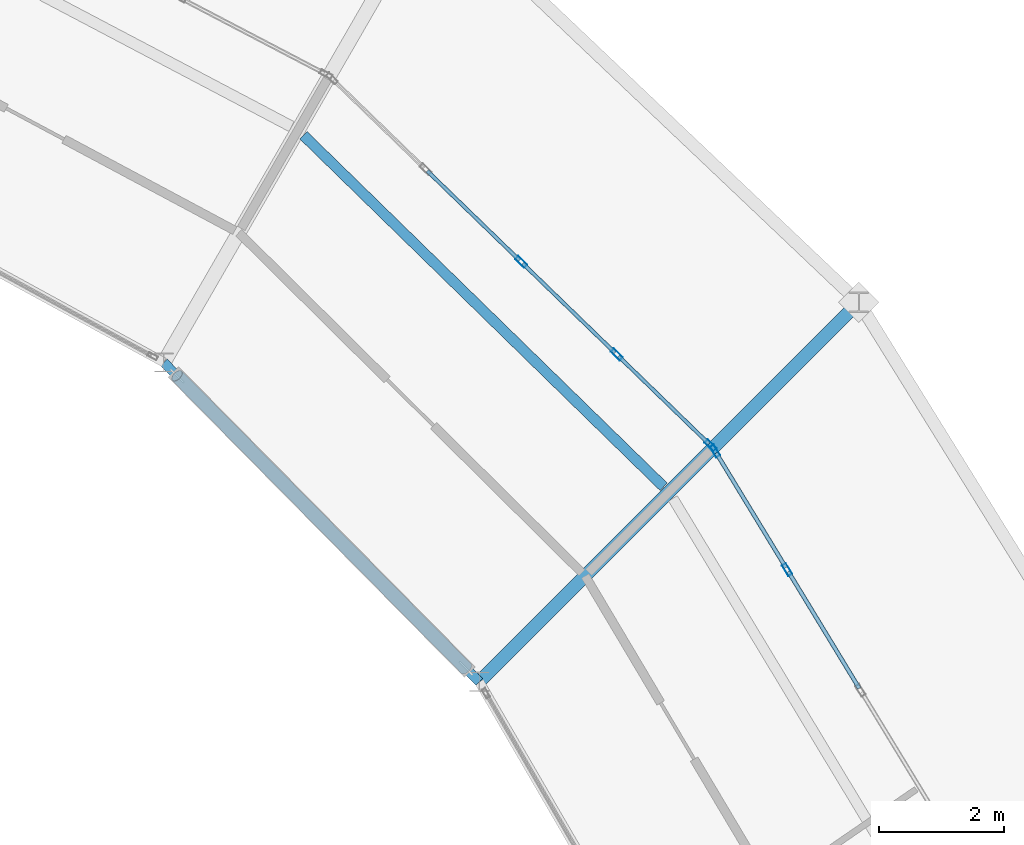
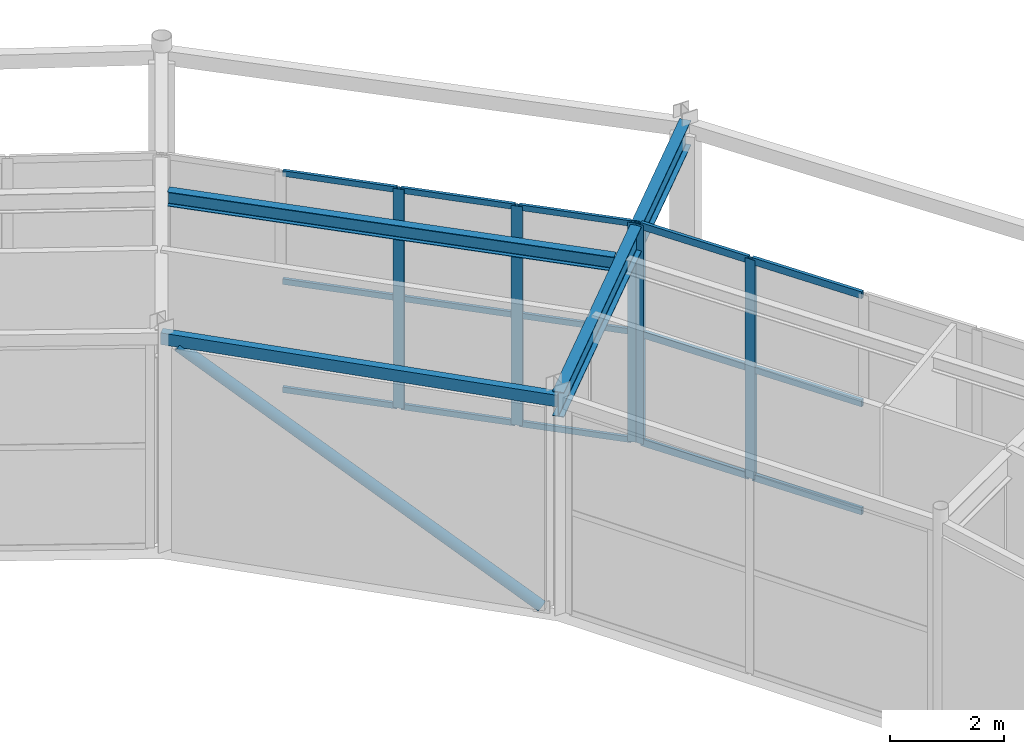
# One storey, part 86 of 144: 21 members, 3 beams, 2 elements without a shape of their own.
"""IFC4 building model written with IfcOpenShell, lengths in metres."""

from ifc_helpers import new_model, si_unit, direction, frame, origin, origin_2d, place, context, subcontext, project, spatial, hollow_rectangle, hollow_circle, i_section, extrude, material, material_profile, profile_set, type_object, element, aggregate, save


model = new_model("IFC4")

# Units and contexts
model_context = context("Model", 3, precision=1e-05, world=origin(), true_north=direction((0.0, 1.0)))
body_context = subcontext(model_context, "Body", "Model", "MODEL_VIEW")
ifc_project = project(units=[si_unit("LENGTHUNIT", "METRE"), si_unit("AREAUNIT", "SQUARE_METRE"), si_unit("VOLUMEUNIT", "CUBIC_METRE"), si_unit("PLANEANGLEUNIT", "RADIAN"), si_unit("MASSUNIT", "GRAM", prefix="KILO")], contexts=[model_context])

# Site, building, storey
site_placement = place(None, origin())
site = spatial("IfcSite", under=ifc_project, at=site_placement, CompositionType="ELEMENT")
building_placement = place(site_placement, origin())
building = spatial("IfcBuilding", under=site, at=building_placement, Name="Karori Crest Natural Sciences Institute", CompositionType="ELEMENT")
storey_placement = place(building_placement, origin())
storey = spatial("IfcBuildingStorey", under=building, at=storey_placement, Name="L00", CompositionType="ELEMENT", Elevation=0.0)

# Beams
ifc_material_1 = material(Name="Structural steel AS/NZS 3679.1 Grade 350", Category="steel")
ifc_material_profile_1 = material_profile(ifc_material_1, i_section(OverallWidth=0.208984375, OverallDepth=0.532958984375, WebThickness=0.01025390625, FlangeThickness=0.015625, FilletRadius=0.013916015625, at=origin_2d()), Name="530UB92.4")
ifc_profile_set_1 = profile_set([ifc_material_profile_1], Name="Structural steel AS/NZS 3679.1 Grade 350")
beam_type_1 = type_object("IfcBeamType", Name="BT-05", PredefinedType="BEAM", material=ifc_profile_set_1)
beam_1_placement = place(storey_placement, frame((83.6533203125, 72.668701171875, 4.37353515625), z_axis=(0.707106781187, 0.707106781187, 0.0), x_axis=(-0.707106781187, 0.707106781187, 0.0)))
element("IfcBeam", 1, at=beam_1_placement, inside=storey, type_object=beam_type_1, Name="Beam B-0103", PredefinedType="BEAM", context=body_context, shape_type="SweptSolid", body=[
    extrude(i_section(OverallWidth=0.208984375, OverallDepth=0.532958984375, WebThickness=0.01025390625, FlangeThickness=0.015625, FilletRadius=0.013916015625, at=origin_2d()), origin(), (0.0, 0.0, 1.0), 8.600341796875),
])
ifc_material_profile_2 = material_profile(ifc_material_1, i_section(OverallWidth=0.166015625, OverallDepth=0.306884765625, WebThickness=0.006591796875, FlangeThickness=0.01171875, FilletRadius=0.010986328125, at=origin_2d()), Name="310UB46.2")
ifc_profile_set_2 = profile_set([ifc_material_profile_2], Name="Structural steel AS/NZS 3679.1 Grade 350")
beam_type_2 = type_object("IfcBeamType", Name="BT-09", PredefinedType="BEAM", material=ifc_profile_set_2)
beam_2_placement = place(storey_placement, frame((86.608154296875, 75.793212890625, 4.486572265625), z_axis=(-0.715696324431, 0.698411605857, 0.0), x_axis=(-0.698411605857, -0.715696324431, 0.0)))
element("IfcBeam", 2, at=beam_2_placement, inside=storey, type_object=beam_type_2, Name="Beam B-0104", PredefinedType="BEAM", context=body_context, shape_type="SweptSolid", body=[
    extrude(i_section(OverallWidth=0.166015625, OverallDepth=0.306884765625, WebThickness=0.006591796875, FlangeThickness=0.01171875, FilletRadius=0.010986328125, at=origin_2d()), origin(), (0.0, 0.0, 1.0), 8.065185546875),
])
ifc_material_2 = material(Name="Hollow structural steel AS/NZS 1163 Grade C350", Category="steel")
ifc_material_profile_3 = material_profile(ifc_material_2, hollow_rectangle(XDim=0.14990234375, YDim=0.25, WallThickness=0.009033203125, at=origin_2d()), Name="RHS250x150x9")
ifc_profile_set_3 = profile_set([ifc_material_profile_3], Name="Hollow structural steel AS/NZS 1163 Grade C350")
beam_type_3 = type_object("IfcBeamType", Name="BT-16", PredefinedType="SPANDREL", material=ifc_profile_set_3)
beam_3_placement = place(storey_placement, frame((83.6533203125, 72.668701171875, 4.489990234375), z_axis=(-0.702645672149, 0.711539921164, 0.0), x_axis=(-0.711539921164, -0.702645672149, 0.0)))
element("IfcBeam", 3, at=beam_3_placement, inside=storey, type_object=beam_type_3, Name="Beam B-0102", PredefinedType="SPANDREL", context=body_context, shape_type="SweptSolid", body=[
    extrude(hollow_rectangle(XDim=0.14990234375, YDim=0.25, WallThickness=0.009033203125, at=origin_2d()), origin(), (0.0, 0.0, 1.0), 7.191650390625),
])

# Curtain wall, members
ifc_material_3 = material(Name="Anodised architectural aluminium 6063-T6", Category="aluminium")
curtain_wall_type_1 = type_object("IfcCurtainWallType", Name="CWT-03", PredefinedType="NOTDEFINED", material=ifc_material_3)
curtain_wall_1_placement = place(storey_placement, origin())
curtain_wall_1 = element("IfcCurtainWall", 4, at=curtain_wall_1_placement, inside=storey, type_object=curtain_wall_type_1, Name="Curtain wall CW-0003", PredefinedType="NOTDEFINED")
ifc_material_profile_4 = material_profile(ifc_material_3, hollow_rectangle(XDim=0.074951171875, YDim=0.199951171875, WallThickness=0.0048828125, at=origin_2d()), Name="CWM200x75x5")
ifc_profile_set_4 = profile_set([ifc_material_profile_4], Name="Anodised architectural aluminium 6063-T6")
member_type_1 = type_object("IfcMemberType", Name="CWM-02", PredefinedType="MULLION", material=ifc_profile_set_4)
member_1_placement = place(storey_placement, frame((87.430908203125, 76.367431640625, 0.0), z_axis=(0.0, 0.0, 1.0), x_axis=(0.854567337323, 0.519340606905, 0.0)))
member_1 = element("IfcMember", 5, at=member_1_placement, type_object=member_type_1, Name="CW-0003 mullion 1", PredefinedType="MULLION", context=body_context, shape_type="SweptSolid", body=[
    extrude(hollow_rectangle(XDim=0.074951171875, YDim=0.199951171875, WallThickness=0.0048828125, at=origin_2d()), origin(), (0.0, 0.0, 1.0), 4.679931640625),
])
member_2_placement = place(storey_placement, frame((88.586181640625, 74.46630859375, 0.0), z_axis=(0.0, 0.0, 1.0), x_axis=(0.854567337323, 0.519340606905, 0.0)))
member_2 = element("IfcMember", 6, at=member_2_placement, type_object=member_type_1, Name="CW-0003 mullion 2", PredefinedType="MULLION", context=body_context, shape_type="SweptSolid", body=[
    extrude(hollow_rectangle(XDim=0.074951171875, YDim=0.199951171875, WallThickness=0.0048828125, at=origin_2d()), origin(), (0.0, 0.0, 1.0), 4.679931640625),
])

curtain_wall_type_2 = type_object("IfcCurtainWallType", Name="CWT-04", PredefinedType="NOTDEFINED", material=ifc_material_3)
curtain_wall_2_placement = place(storey_placement, origin())
curtain_wall_2 = element("IfcCurtainWall", 7, at=curtain_wall_2_placement, inside=storey, type_object=curtain_wall_type_2, Name="Curtain wall CW-0005", PredefinedType="NOTDEFINED")
member_3_placement = place(storey_placement, frame((84.325439453125, 79.396240234375, 0.0), z_axis=(0.0, 0.0, 1.0), x_axis=(0.695838899401, 0.718197901752, 0.0)))
member_3 = element("IfcMember", 8, at=member_3_placement, type_object=member_type_1, Name="CW-0005 mullion 3", PredefinedType="MULLION", context=body_context, shape_type="SweptSolid", body=[
    extrude(hollow_rectangle(XDim=0.074951171875, YDim=0.199951171875, WallThickness=0.0048828125, at=origin_2d()), origin(), (0.0, 0.0, 1.0), 4.679931640625),
])
member_4_placement = place(storey_placement, frame((85.856201171875, 77.913330078125, 0.0), z_axis=(0.0, 0.0, 1.0), x_axis=(0.695838899401, 0.718197901752, 0.0)))
member_4 = element("IfcMember", 9, at=member_4_placement, type_object=member_type_1, Name="CW-0005 mullion 4", PredefinedType="MULLION", context=body_context, shape_type="SweptSolid", body=[
    extrude(hollow_rectangle(XDim=0.074951171875, YDim=0.199951171875, WallThickness=0.0048828125, at=origin_2d()), origin(), (0.0, 0.0, 1.0), 4.679931640625),
])
member_5_placement = place(storey_placement, frame((87.35986328125, 76.45654296875, 0.0), z_axis=(0.0, 0.0, 1.0), x_axis=(0.695838899401, 0.718197901752, 0.0)))
member_5 = element("IfcMember", 10, at=member_5_placement, type_object=member_type_1, Name="CW-0005 mullion 5", PredefinedType="MULLION", context=body_context, shape_type="SweptSolid", body=[
    extrude(hollow_rectangle(XDim=0.074951171875, YDim=0.199951171875, WallThickness=0.0048828125, at=origin_2d()), origin(), (0.0, 0.0, 1.0), 4.679931640625),
])
ifc_material_profile_5 = material_profile(ifc_material_3, hollow_rectangle(XDim=0.06005859375, YDim=0.1201171875, WallThickness=0.00390625, at=origin_2d()), Name="CWT120x60x4")
ifc_profile_set_5 = profile_set([ifc_material_profile_5], Name="Anodised architectural aluminium 6063-T6")
member_type_2 = type_object("IfcMemberType", Name="CWT-TR1", PredefinedType="USERDEFINED", material=ifc_profile_set_5)
member_6_placement = place(storey_placement, frame((82.822021484375, 80.85302734375, 0.030029296875), z_axis=(0.718180876669, -0.695856471111, 0.0), x_axis=(0.695856471111, 0.718180876669, 0.0)))
member_6 = element("IfcMember", 11, at=member_6_placement, type_object=member_type_2, Name="CW-0005 transom 2.1", ObjectType="TRANSOM", PredefinedType="USERDEFINED", context=body_context, shape_type="SweptSolid", body=[
    extrude(hollow_rectangle(XDim=0.06005859375, YDim=0.1201171875, WallThickness=0.00390625, at=origin_2d()), origin(), (0.0, 0.0, 1.0), 2.055908203125),
])
member_7_placement = place(storey_placement, frame((82.822021484375, 80.85302734375, 2.340087890625), z_axis=(0.718180876669, -0.695856471111, 0.0), x_axis=(0.695856471111, 0.718180876669, 0.0)))
member_7 = element("IfcMember", 12, at=member_7_placement, type_object=member_type_2, Name="CW-0005 transom 2.2", ObjectType="TRANSOM", PredefinedType="USERDEFINED", context=body_context, shape_type="SweptSolid", body=[
    extrude(hollow_rectangle(XDim=0.06005859375, YDim=0.1201171875, WallThickness=0.00390625, at=origin_2d()), origin(), (0.0, 0.0, 1.0), 2.055908203125),
])
member_8_placement = place(storey_placement, frame((82.822021484375, 80.85302734375, 4.64990234375), z_axis=(0.718180876669, -0.695856471111, 0.0), x_axis=(0.695856471111, 0.718180876669, 0.0)))
member_8 = element("IfcMember", 13, at=member_8_placement, type_object=member_type_2, Name="CW-0005 transom 2.3", ObjectType="TRANSOM", PredefinedType="USERDEFINED", context=body_context, shape_type="SweptSolid", body=[
    extrude(hollow_rectangle(XDim=0.06005859375, YDim=0.1201171875, WallThickness=0.00390625, at=origin_2d()), origin(), (0.0, 0.0, 1.0), 2.055908203125),
])
member_9_placement = place(storey_placement, frame((84.3525390625, 79.3701171875, 0.030029296875), z_axis=(0.718180876669, -0.695856471111, 0.0), x_axis=(0.695856471111, 0.718180876669, 0.0)))
member_9 = element("IfcMember", 14, at=member_9_placement, type_object=member_type_2, Name="CW-0005 transom 3.1", ObjectType="TRANSOM", PredefinedType="USERDEFINED", context=body_context, shape_type="SweptSolid", body=[
    extrude(hollow_rectangle(XDim=0.06005859375, YDim=0.1201171875, WallThickness=0.00390625, at=origin_2d()), origin(), (0.0, 0.0, 1.0), 2.055908203125),
])
member_10_placement = place(storey_placement, frame((84.3525390625, 79.3701171875, 2.340087890625), z_axis=(0.718180876669, -0.695856471111, 0.0), x_axis=(0.695856471111, 0.718180876669, 0.0)))
member_10 = element("IfcMember", 15, at=member_10_placement, type_object=member_type_2, Name="CW-0005 transom 3.2", ObjectType="TRANSOM", PredefinedType="USERDEFINED", context=body_context, shape_type="SweptSolid", body=[
    extrude(hollow_rectangle(XDim=0.06005859375, YDim=0.1201171875, WallThickness=0.00390625, at=origin_2d()), origin(), (0.0, 0.0, 1.0), 2.055908203125),
])
member_11_placement = place(storey_placement, frame((84.3525390625, 79.3701171875, 4.64990234375), z_axis=(0.718180876669, -0.695856471111, 0.0), x_axis=(0.695856471111, 0.718180876669, 0.0)))
member_11 = element("IfcMember", 16, at=member_11_placement, type_object=member_type_2, Name="CW-0005 transom 3.3", ObjectType="TRANSOM", PredefinedType="USERDEFINED", context=body_context, shape_type="SweptSolid", body=[
    extrude(hollow_rectangle(XDim=0.06005859375, YDim=0.1201171875, WallThickness=0.00390625, at=origin_2d()), origin(), (0.0, 0.0, 1.0), 2.055908203125),
])
member_12_placement = place(storey_placement, frame((85.883056640625, 77.88720703125, 0.030029296875), z_axis=(0.718206221639, -0.695830312073, 0.0), x_axis=(0.695830312073, 0.718206221639, 0.0)))
member_12 = element("IfcMember", 17, at=member_12_placement, type_object=member_type_2, Name="CW-0005 transom 4.1", ObjectType="TRANSOM", PredefinedType="USERDEFINED", context=body_context, shape_type="SweptSolid", body=[
    extrude(hollow_rectangle(XDim=0.06005859375, YDim=0.1201171875, WallThickness=0.00390625, at=origin_2d()), origin(), (0.0, 0.0, 1.0), 2.0185546875),
])
member_13_placement = place(storey_placement, frame((85.883056640625, 77.88720703125, 2.340087890625), z_axis=(0.718206221639, -0.695830312073, 0.0), x_axis=(0.695830312073, 0.718206221639, 0.0)))
member_13 = element("IfcMember", 18, at=member_13_placement, type_object=member_type_2, Name="CW-0005 transom 4.2", ObjectType="TRANSOM", PredefinedType="USERDEFINED", context=body_context, shape_type="SweptSolid", body=[
    extrude(hollow_rectangle(XDim=0.06005859375, YDim=0.1201171875, WallThickness=0.00390625, at=origin_2d()), origin(), (0.0, 0.0, 1.0), 2.0185546875),
])
member_14_placement = place(storey_placement, frame((85.883056640625, 77.88720703125, 4.64990234375), z_axis=(0.718206221639, -0.695830312073, 0.0), x_axis=(0.695830312073, 0.718206221639, 0.0)))
member_14 = element("IfcMember", 19, at=member_14_placement, type_object=member_type_2, Name="CW-0005 transom 4.3", ObjectType="TRANSOM", PredefinedType="USERDEFINED", context=body_context, shape_type="SweptSolid", body=[
    extrude(hollow_rectangle(XDim=0.06005859375, YDim=0.1201171875, WallThickness=0.00390625, at=origin_2d()), origin(), (0.0, 0.0, 1.0), 2.0185546875),
])
aggregate(curtain_wall_2, [member_3, member_4, member_5, member_6, member_7, member_8, member_9, member_10, member_11, member_12, member_13, member_14])

# Member
ifc_material_profile_6 = material_profile(ifc_material_3, hollow_rectangle(XDim=0.06494140625, YDim=0.14990234375, WallThickness=0.00390625, at=origin_2d()), Name="CWT150x65x4")
ifc_profile_set_6 = profile_set([ifc_material_profile_6], Name="Anodised architectural aluminium 6063-T6")
member_type_3 = type_object("IfcMemberType", Name="CWT-TR2", PredefinedType="USERDEFINED", material=ifc_profile_set_6)
member_15_placement = place(storey_placement, frame((87.450439453125, 76.335205078125, 0.032470703125), z_axis=(0.519381148142, -0.854542698146, 0.0), x_axis=(0.854542698146, 0.519381148142, 0.0)))
member_15 = element("IfcMember", 20, at=member_15_placement, type_object=member_type_3, Name="CW-0003 transom 1.1", ObjectType="TRANSOM", PredefinedType="USERDEFINED", context=body_context, shape_type="SweptSolid", body=[
    extrude(hollow_rectangle(XDim=0.06494140625, YDim=0.14990234375, WallThickness=0.00390625, at=origin_2d()), origin(), (0.0, 0.0, 1.0), 2.149658203125),
])

member_16_placement = place(storey_placement, frame((87.450439453125, 76.335205078125, 2.340087890625), z_axis=(0.519381148142, -0.854542698146, 0.0), x_axis=(0.854542698146, 0.519381148142, 0.0)))
member_16 = element("IfcMember", 21, at=member_16_placement, type_object=member_type_3, Name="CW-0003 transom 1.2", ObjectType="TRANSOM", PredefinedType="USERDEFINED", context=body_context, shape_type="SweptSolid", body=[
    extrude(hollow_rectangle(XDim=0.06494140625, YDim=0.14990234375, WallThickness=0.00390625, at=origin_2d()), origin(), (0.0, 0.0, 1.0), 2.149658203125),
])

member_17_placement = place(storey_placement, frame((87.450439453125, 76.335205078125, 4.6474609375), z_axis=(0.519381148142, -0.854542698146, 0.0), x_axis=(0.854542698146, 0.519381148142, 0.0)))
member_17 = element("IfcMember", 22, at=member_17_placement, type_object=member_type_3, Name="CW-0003 transom 1.3", ObjectType="TRANSOM", PredefinedType="USERDEFINED", context=body_context, shape_type="SweptSolid", body=[
    extrude(hollow_rectangle(XDim=0.06494140625, YDim=0.14990234375, WallThickness=0.00390625, at=origin_2d()), origin(), (0.0, 0.0, 1.0), 2.149658203125),
])

member_18_placement = place(storey_placement, frame((88.605712890625, 74.434326171875, 0.032470703125), z_axis=(0.519281040106, -0.854603534621, 0.0), x_axis=(0.854603534621, 0.519281040106, 0.0)))
member_18 = element("IfcMember", 23, at=member_18_placement, type_object=member_type_3, Name="CW-0003 transom 2.1", ObjectType="TRANSOM", PredefinedType="USERDEFINED", context=body_context, shape_type="SweptSolid", body=[
    extrude(hollow_rectangle(XDim=0.06494140625, YDim=0.14990234375, WallThickness=0.00390625, at=origin_2d()), origin(), (0.0, 0.0, 1.0), 2.187255859375),
])

member_19_placement = place(storey_placement, frame((88.605712890625, 74.434326171875, 2.340087890625), z_axis=(0.519281040106, -0.854603534621, 0.0), x_axis=(0.854603534621, 0.519281040106, 0.0)))
member_19 = element("IfcMember", 24, at=member_19_placement, type_object=member_type_3, Name="CW-0003 transom 2.2", ObjectType="TRANSOM", PredefinedType="USERDEFINED", context=body_context, shape_type="SweptSolid", body=[
    extrude(hollow_rectangle(XDim=0.06494140625, YDim=0.14990234375, WallThickness=0.00390625, at=origin_2d()), origin(), (0.0, 0.0, 1.0), 2.187255859375),
])

member_20_placement = place(storey_placement, frame((88.605712890625, 74.434326171875, 4.6474609375), z_axis=(0.519281040106, -0.854603534621, 0.0), x_axis=(0.854603534621, 0.519281040106, 0.0)))
member_20 = element("IfcMember", 25, at=member_20_placement, type_object=member_type_3, Name="CW-0003 transom 2.3", ObjectType="TRANSOM", PredefinedType="USERDEFINED", context=body_context, shape_type="SweptSolid", body=[
    extrude(hollow_rectangle(XDim=0.06494140625, YDim=0.14990234375, WallThickness=0.00390625, at=origin_2d()), origin(), (0.0, 0.0, 1.0), 2.187255859375),
])

aggregate(curtain_wall_1, [member_1, member_2, member_15, member_16, member_17, member_18, member_19, member_20])

ifc_material_profile_7 = material_profile(ifc_material_2, hollow_circle(Radius=0.109619140625, WallThickness=0.00830078125, at=origin_2d()), Name="CHS219.1x8.2")
ifc_profile_set_7 = profile_set([ifc_material_profile_7], Name="Hollow structural steel AS/NZS 1163 Grade C350")
member_type_4 = type_object("IfcMemberType", Name="MT-02", PredefinedType="BRACE", material=ifc_profile_set_7)
member_21_placement = place(storey_placement, frame((83.442626953125, 72.88232421875, 0.010009765625), z_axis=(-0.586881743715, 0.594274993596, 0.549915494308), x_axis=(-0.711518857686, -0.702667001614, 0.0)))
element("IfcMember", 26, at=member_21_placement, inside=storey, type_object=member_type_4, Name="Diagonal Brace M-0005", PredefinedType="BRACE", context=body_context, shape_type="SweptSolid", body=[
    extrude(hollow_circle(Radius=0.109619140625, WallThickness=0.00830078125, at=origin_2d()), origin(), (0.0, 0.0, 1.0), 7.892333984375),
])

save(model, "model.ifc")
